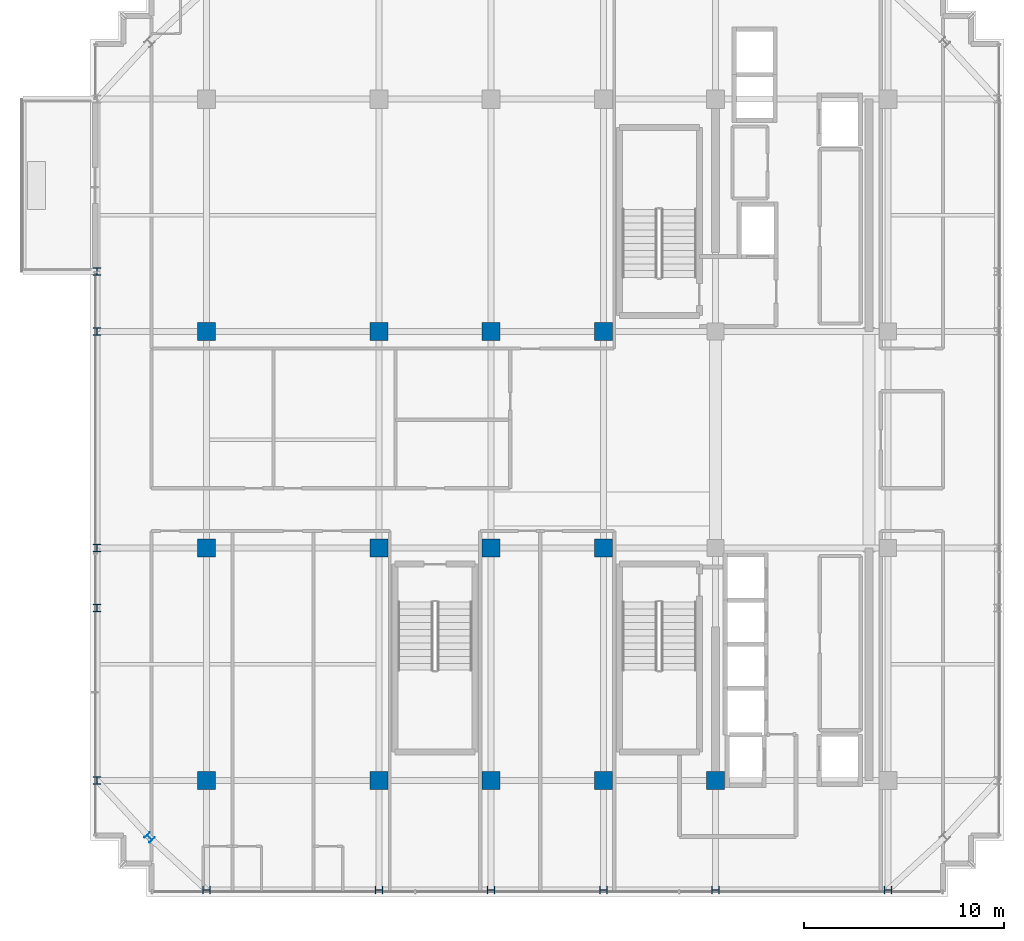
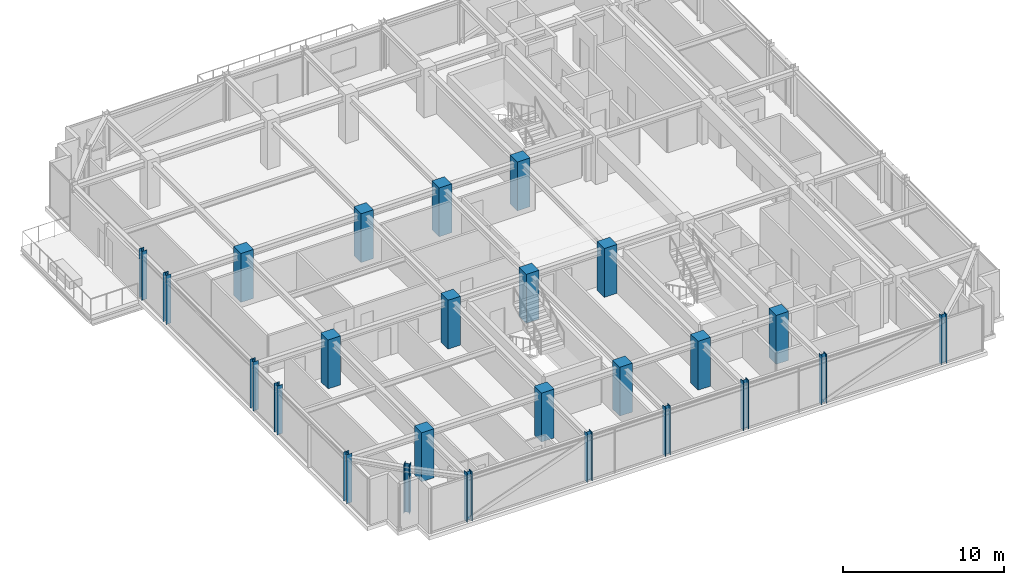
# One storey, part 1 of 36: 25 columns.
"""IFC4 building model written with IfcOpenShell, lengths in metres."""

from ifc_helpers import new_model, si_unit, direction, frame, origin, origin_2d, place, context, subcontext, project, spatial, rectangle, i_section, extrude, source, transform, mapped, material, material_profile, profile_set, type_object, element, save


model = new_model("IFC4")

# Units and contexts
model_context = context("Model", 3, precision=1e-05, world=origin(), true_north=direction((0.0, 1.0)))
body_context = subcontext(model_context, "Body", "Model", "MODEL_VIEW")
ifc_project = project(units=[si_unit("LENGTHUNIT", "METRE"), si_unit("AREAUNIT", "SQUARE_METRE"), si_unit("VOLUMEUNIT", "CUBIC_METRE"), si_unit("PLANEANGLEUNIT", "RADIAN"), si_unit("MASSUNIT", "GRAM", prefix="KILO")], contexts=[model_context])

# Site, building, storey
site_placement = place(None, origin())
site = spatial("IfcSite", under=ifc_project, at=site_placement, CompositionType="ELEMENT")
building_placement = place(site_placement, origin())
building = spatial("IfcBuilding", under=site, at=building_placement, Name="Nahalor Promenade Grand Hotel", CompositionType="ELEMENT")
storey_placement = place(building_placement, frame((0.0, 0.0, 273.800048828125)))
storey = spatial("IfcBuildingStorey", under=building, at=storey_placement, Name="L70", CompositionType="ELEMENT", Elevation=273.800048828125)

# Columns
ifc_material_1 = material(Name="Concrete B-50 (C40/50)", Category="concrete")
ifc_material_profile_1 = material_profile(ifc_material_1, rectangle(XDim=0.9, YDim=0.9, at=origin_2d()), Name="RC 900x900")
ifc_profile_set_1 = profile_set([ifc_material_profile_1], Name="Concrete B-50 (C40/50)")
column_type_1 = type_object("IfcColumnType", Name="Col-RC-900", PredefinedType="COLUMN", material=ifc_profile_set_1)
shared_shape_1 = source(origin(), body_context, "Body", "SweptSolid", [
    extrude(rectangle(XDim=0.9, YDim=0.9, at=origin_2d()), origin(), (0.0, 0.0, 1.0), 3.704833984375),
])
for number, where, z_axis, x_axis, name in (
    (1, (-17.0, -17.0, 0.0), (0.0, 0.0, 1.0), (1.0, 0.0, 0.0), "COL-L70-I00"),
    (2, (-17.0, -5.39990234375, 0.0), (0.0, 0.0, 1.0), (1.0, 0.0, 0.0), "COL-L70-I01"),
    (3, (-17.0, 5.39990234375, 0.0), (0.0, 0.0, 1.0), (1.0, 0.0, 0.0), "COL-L70-I02"),
    (4, (-8.39990234375, -17.0, 0.0), (0.0, 0.0, 1.0), (1.0, 0.0, 0.0), "COL-L70-I10"),
    (5, (-8.39990234375, -5.39990234375, 0.0), (0.0, 0.0, 1.0), (1.0, 0.0, 0.0), "COL-L70-I11"),
    (6, (-8.39990234375, 5.39990234375, 0.0), (0.0, 0.0, 1.0), (1.0, 0.0, 0.0), "COL-L70-I12"),
    (7, (-2.800048828125, -17.0, 0.0), (0.0, 0.0, 1.0), (1.0, 0.0, 0.0), "COL-L70-I20"),
    (8, (-2.800048828125, -5.39990234375, 0.0), (0.0, 0.0, 1.0), (1.0, 0.0, 0.0), "COL-L70-I21"),
    (9, (-2.800048828125, 5.39990234375, 0.0), (0.0, 0.0, 1.0), (1.0, 0.0, 0.0), "COL-L70-I22"),
    (10, (2.800048828125, -17.0, 0.0), (0.0, 0.0, 1.0), (1.0, 0.0, 0.0), "COL-L70-I30"),
    (11, (2.800048828125, -5.39990234375, 0.0), (0.0, 0.0, 1.0), (1.0, 0.0, 0.0), "COL-L70-I31"),
    (12, (2.800048828125, 5.39990234375, 0.0), (0.0, 0.0, 1.0), (1.0, 0.0, 0.0), "COL-L70-I32"),
    (13, (8.39990234375, -17.0, 0.0), (0.0, 0.0, 1.0), (1.0, 0.0, 0.0), "COL-L70-I40"),
):
    element("IfcColumn", number, at=place(storey_placement, frame(where, z_axis=z_axis, x_axis=x_axis)), inside=storey, type_object=column_type_1, Name=name, PredefinedType="COLUMN", context=body_context, shape_type="MappedRepresentation", body=[
        mapped(shared_shape_1, transform((0.0, 0.0, 0.0), scale=1.0)),
    ])
ifc_material_2 = material(Name="Steel S355JR", Category="steel")
ifc_material_profile_2 = material_profile(ifc_material_2, i_section(OverallWidth=0.374, OverallDepth=0.374, WebThickness=0.0144, FlangeThickness=0.0229, at=origin_2d()), Name="HD 360x262")
ifc_profile_set_2 = profile_set([ifc_material_profile_2], Name="Steel S355JR")
column_type_2 = type_object("IfcColumnType", Name="Col-Steel-HD262", PredefinedType="COLUMN", material=ifc_profile_set_2)
shared_shape_2 = source(origin(), body_context, "Body", "SweptSolid", [
    extrude(i_section(OverallWidth=0.374, OverallDepth=0.374, WebThickness=0.0144, FlangeThickness=0.0229, at=origin_2d()), origin(), (0.0, 0.0, 1.0), 3.704833984375),
])
for number, where, z_axis, x_axis, name in (
    (14, (-22.47998046875, -17.0, 0.0), (0.0, 0.0, 1.0), (1.0, 0.0, 0.0), "COL-L70-PW-W0"),
    (15, (-22.47998046875, -8.39990234375, 0.0), (0.0, 0.0, 1.0), (1.0, 0.0, 0.0), "COL-L70-PW-W1"),
    (16, (-22.47998046875, -5.39990234375, 0.0), (0.0, 0.0, 1.0), (1.0, 0.0, 0.0), "COL-L70-PW-W2"),
    (17, (-22.47998046875, 5.39990234375, 0.0), (0.0, 0.0, 1.0), (1.0, 0.0, 0.0), "COL-L70-PW-W3"),
    (18, (-22.47998046875, 8.39990234375, 0.0), (0.0, 0.0, 1.0), (1.0, 0.0, 0.0), "COL-L70-PW-W4"),
    (19, (-17.0, -22.47998046875, 0.0), (0.0, 0.0, 1.0), (0.0, 1.0, 0.0), "COL-L70-PN-S0"),
    (20, (-8.39990234375, -22.47998046875, 0.0), (0.0, 0.0, 1.0), (0.0, 1.0, 0.0), "COL-L70-PN-S1"),
    (21, (-2.800048828125, -22.47998046875, 0.0), (0.0, 0.0, 1.0), (0.0, 1.0, 0.0), "COL-L70-PN-S2"),
    (22, (2.800048828125, -22.47998046875, 0.0), (0.0, 0.0, 1.0), (0.0, 1.0, 0.0), "COL-L70-PN-S3"),
    (23, (8.39990234375, -22.47998046875, 0.0), (0.0, 0.0, 1.0), (0.0, 1.0, 0.0), "COL-L70-PN-S4"),
    (24, (17.0, -22.47998046875, 0.0), (0.0, 0.0, 1.0), (0.0, 1.0, 0.0), "COL-L70-PN-S5"),
    (25, (-19.85009765625, -19.85009765625, 0.0), (0.0, 0.0, 1.0), (0.707106781187, 0.707106781187, 0.0), "COL-L70-CRN-SW"),
):
    element("IfcColumn", number, at=place(storey_placement, frame(where, z_axis=z_axis, x_axis=x_axis)), inside=storey, type_object=column_type_2, Name=name, PredefinedType="COLUMN", context=body_context, shape_type="MappedRepresentation", body=[
        mapped(shared_shape_2, transform((0.0, 0.0, 0.0), scale=1.0)),
    ])

save(model, "model.ifc")
